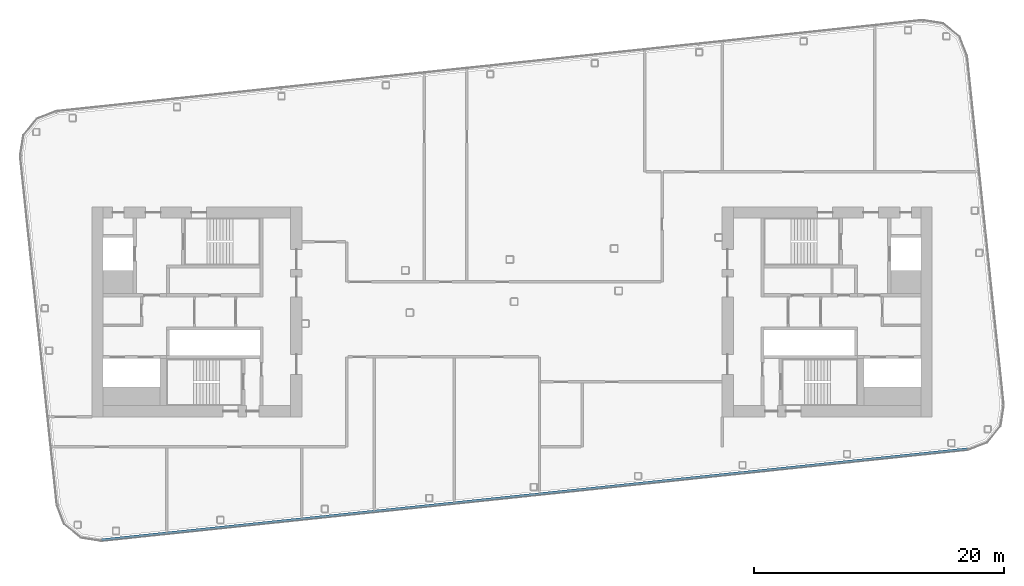
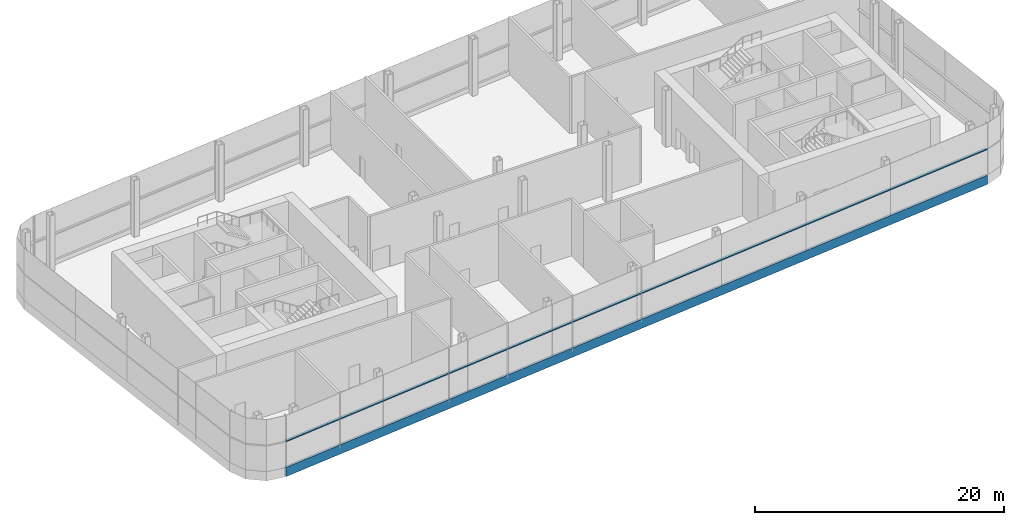
# One storey, part 6 of 35: 2 members, 1 element without a shape of its own.
"""IFC4 building model written with IfcOpenShell, lengths in metres."""

from ifc_helpers import new_model, si_unit, direction, frame, origin, origin_2d, place, context, subcontext, project, spatial, rectangle, extrude, material, layer, layer_set, material_profile, profile_set, type_object, element, aggregate, save


model = new_model("IFC4")

# Units and contexts
model_context = context("Model", 3, precision=1e-05, world=origin(), true_north=direction((0.0, 1.0)))
body_context = subcontext(model_context, "Body", "Model", "MODEL_VIEW")
ifc_project = project(units=[si_unit("LENGTHUNIT", "METRE"), si_unit("AREAUNIT", "SQUARE_METRE"), si_unit("VOLUMEUNIT", "CUBIC_METRE"), si_unit("PLANEANGLEUNIT", "RADIAN"), si_unit("MASSUNIT", "GRAM", prefix="KILO")], contexts=[model_context])

# Site, building, storey
site_placement = place(None, origin())
site = spatial("IfcSite", under=ifc_project, at=site_placement, CompositionType="ELEMENT")
building_placement = place(site_placement, origin())
building = spatial("IfcBuilding", under=site, at=building_placement, Name="Hakoniwa Tower and Hamabe Station Hall", CompositionType="ELEMENT")
storey_placement = place(building_placement, frame((0.0, 0.0, 264.60009765625)))
storey = spatial("IfcBuildingStorey", under=building, at=storey_placement, Name="L75", CompositionType="ELEMENT", Elevation=264.60009765625)

# Curtain wall, members
ifc_material_1 = material(Name="Dark low-e laminated glass", Category="glass")
ifc_layer = layer(ifc_material_1, 0.199951171875)
ifc_layer_set = layer_set([ifc_layer], Name="CW-1 UNITISED GUEST")
curtain_wall_type = type_object("IfcCurtainWallType", Name="CW-1 UNITISED GUEST", PredefinedType="NOTDEFINED", material=ifc_layer_set)
curtain_wall_placement = place(storey_placement, origin())
curtain_wall = element("IfcCurtainWall", 1, at=curtain_wall_placement, inside=storey, type_object=curtain_wall_type, Name="CW-1 curtain wall", PredefinedType="NOTDEFINED")
ifc_material_2 = material(Name="Aluminium 6063-T5 black anodised", Category="aluminium")
ifc_material_profile_1 = material_profile(ifc_material_2, rectangle(XDim=0.199951171875, YDim=0.1201171875, at=origin_2d()), Name="CW MID TRANSOM 120X200")
ifc_profile_set_1 = profile_set([ifc_material_profile_1], Name="Aluminium 6063-T5 black anodised")
member_type_1 = type_object("IfcMemberType", Name="CW MID TRANSOM 120X200", PredefinedType="USERDEFINED", material=ifc_profile_set_1)
member_1_placement = place(storey_placement, frame((-32.850830078125, -18.24755859375, 2.89990234375), z_axis=(0.994521894037, 0.10452847593, 0.0), x_axis=(-0.10452847593, 0.994521894037, 0.0)))
member_1 = element("IfcMember", 2, at=member_1_placement, type_object=member_type_1, Name="CW-1 transom", ObjectType="TRANSOM", PredefinedType="USERDEFINED", context=body_context, shape_type="SweptSolid", body=[
    extrude(rectangle(XDim=0.199951171875, YDim=0.1201171875, at=origin_2d()), origin(), (0.0, 0.0, 1.0), 69.678955078125),
])
ifc_material_3 = material(Name="Aluminium 6063-T5 black anodised", Category="aluminium")
ifc_material_profile_2 = material_profile(ifc_material_3, rectangle(XDim=0.199951171875, YDim=0.89990234375, at=origin_2d()), Name="CW SLAB-EDGE BAND 900X200")
ifc_profile_set_2 = profile_set([ifc_material_profile_2], Name="Aluminium 6063-T5 black anodised")
member_type_2 = type_object("IfcMemberType", Name="CW SLAB-EDGE BAND 900X200", PredefinedType="USERDEFINED", material=ifc_profile_set_2)
member_2_placement = place(storey_placement, frame((-32.850830078125, -18.24755859375, -0.10009765625), z_axis=(0.994521894037, 0.10452847593, 0.0), x_axis=(-0.10452847593, 0.994521894037, 0.0)))
member_2 = element("IfcMember", 3, at=member_2_placement, type_object=member_type_2, Name="CW-1 transom", ObjectType="TRANSOM", PredefinedType="USERDEFINED", context=body_context, shape_type="SweptSolid", body=[
    extrude(rectangle(XDim=0.199951171875, YDim=0.89990234375, at=origin_2d()), origin(), (0.0, 0.0, 1.0), 69.678955078125),
])
aggregate(curtain_wall, [member_2, member_1])

save(model, "model.ifc")
